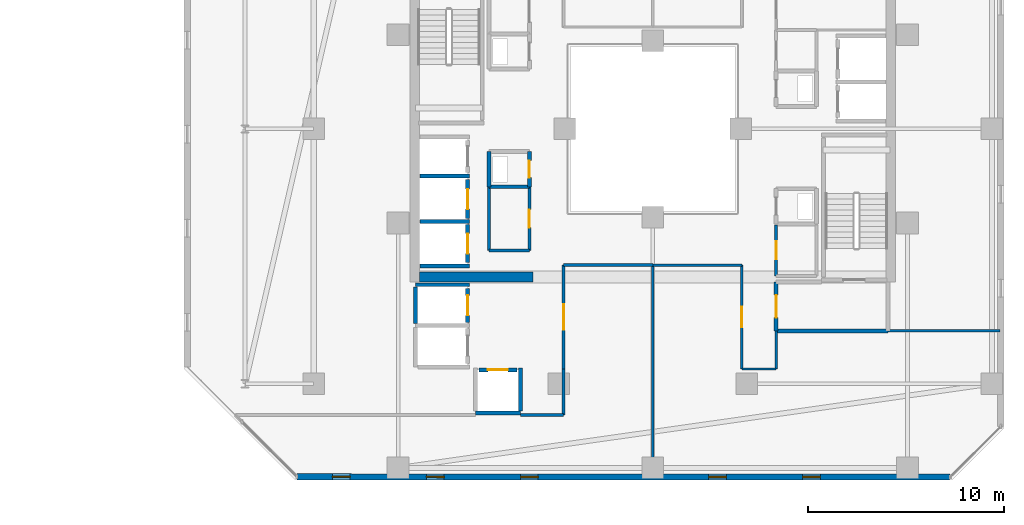
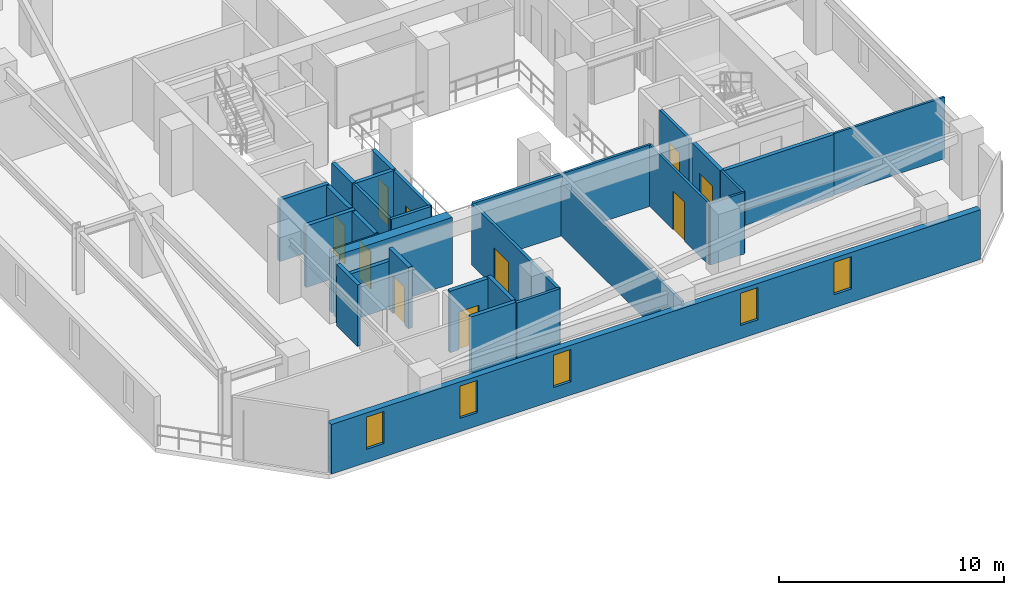
# One storey, part 23 of 32: 32 walls, 10 doors, 5 windows, 15 openings.
"""IFC4 building model written with IfcOpenShell, lengths in metres."""

from ifc_helpers import new_model, si_unit, direction, frame, frame_2d, origin, place, context, subcontext, project, spatial, rectangle, extrude, material, layer, layer_set, type_object, element, fill, save


model = new_model("IFC4")

# Units and contexts
model_context = context("Model", 3, precision=1e-05, world=origin(), true_north=direction((0.0, 1.0)))
body_context = subcontext(model_context, "Body", "Model", "MODEL_VIEW")
ifc_project = project(units=[si_unit("LENGTHUNIT", "METRE"), si_unit("AREAUNIT", "SQUARE_METRE"), si_unit("VOLUMEUNIT", "CUBIC_METRE"), si_unit("PLANEANGLEUNIT", "RADIAN"), si_unit("MASSUNIT", "GRAM", prefix="KILO")], contexts=[model_context])

# Site, building, storey
site_placement = place(None, origin())
site = spatial("IfcSite", under=ifc_project, at=site_placement, CompositionType="ELEMENT")
building_placement = place(site_placement, origin())
building = spatial("IfcBuilding", under=site, at=building_placement, Name="Thornwick Lancets Civic Towers", CompositionType="ELEMENT")
storey_placement = place(building_placement, frame((0.0, 0.0, 182.10009765625)))
storey = spatial("IfcBuildingStorey", under=building, at=storey_placement, Name="L48", CompositionType="ELEMENT", Elevation=182.10009765625)

# Wall, opening, door
ifc_material_1 = material(Name="Concrete blockwork C40/50", Category="masonry")
ifc_layer_1 = layer(ifc_material_1, 0.199951171875, Name="Concrete blockwork C40/50")
ifc_layer_set_1 = layer_set([ifc_layer_1], Name="Concrete blockwork C40/50")
wall_type_1 = type_object("IfcWallType", Name="WALL_COMP_200", PredefinedType="STANDARD", material=ifc_layer_set_1)
wall_1_placement = place(storey_placement, frame((79.050048828125, 22.429931640625, 0.0), z_axis=(0.0, 0.0, 1.0), x_axis=(0.0, 1.0, 0.0)))
wall_1 = element("IfcWall", 1, at=wall_1_placement, inside=storey, type_object=wall_type_1, Name="L48 Hoistway Front Wall PL-BH2", PredefinedType="STANDARD", context=body_context, shape_type="SweptSolid", body=[
    extrude(rectangle(XDim=1.989990234375, YDim=0.199951171875, at=frame_2d((0.9951171875, 0.0))), origin(), (0.0, 0.0, 1.0), 3.33984375),
])
opening_1_placement = place(wall_1_placement, frame((0.485107421875, 0.0, 0.0)))
opening_1 = element("IfcOpeningElement", 2, at=opening_1_placement, cuts=wall_1, Name="Opening LD-PL-BH2", PredefinedType="OPENING", context=body_context, shape_type="SweptSolid", body=[
    extrude(rectangle(XDim=1.02001953125, YDim=2.06005859375, at=frame_2d((0.510009765625, 1.030029296875))), frame((0.0, 0.10986328125, 0.0), z_axis=(0.0, -1.0, 0.0), x_axis=(1.0, 0.0, 0.0)), (0.0, 0.0, 1.0), 0.219970703125),
])
ifc_material_2 = material(Name="Brushed bronze stainless steel", Category="steel")
door_type_1 = type_object("IfcDoorType", Name="DOOR_LIFT_SLIDE", OperationType="SLIDING_TO_LEFT", PredefinedType="DOOR", material=ifc_material_2)
door_1_placement = place(opening_1_placement, origin())
door_1 = element("IfcDoor", 3, at=door_1_placement, inside=storey, type_object=door_type_1, Name="L48 Sliding Lift Landing Door LD-PL-BH2", OperationType="SLIDING_TO_LEFT", OverallHeight=2.06005859375, OverallWidth=1.02001953125, PredefinedType="DOOR", context=body_context, shape_type="SweptSolid", body=[
    extrude(rectangle(XDim=1.02001953125, YDim=2.06005859375, at=frame_2d((0.510009765625, 1.030029296875))), frame((0.0, 0.02490234375, 0.0), z_axis=(0.0, -1.0, 0.0), x_axis=(1.0, 0.0, 0.0)), (0.0, 0.0, 1.0), 0.050048828125),
])
fill(opening_1, door_1)

wall_2_placement = place(storey_placement, frame((79.050048828125, 20.179931640625, 0.0), z_axis=(0.0, 0.0, 1.0), x_axis=(0.0, 1.0, 0.0)))
wall_2 = element("IfcWall", 4, at=wall_2_placement, inside=storey, type_object=wall_type_1, Name="L48 Hoistway Front Wall PL-BH3", PredefinedType="STANDARD", context=body_context, shape_type="SweptSolid", body=[
    extrude(rectangle(XDim=1.940185546875, YDim=0.199951171875, at=frame_2d((0.97021484375, 0.0))), origin(), (0.0, 0.0, 1.0), 3.33984375),
])
opening_2_placement = place(wall_2_placement, frame((0.4599609375, 0.0, 0.0)))
opening_2 = element("IfcOpeningElement", 5, at=opening_2_placement, cuts=wall_2, Name="Opening LD-PL-BH3", PredefinedType="OPENING", context=body_context, shape_type="SweptSolid", body=[
    extrude(rectangle(XDim=1.02001953125, YDim=2.06005859375, at=frame_2d((0.510009765625, 1.030029296875))), frame((0.0, 0.10986328125, 0.0), z_axis=(0.0, -1.0, 0.0), x_axis=(1.0, 0.0, 0.0)), (0.0, 0.0, 1.0), 0.219970703125),
])
door_2_placement = place(opening_2_placement, origin())
door_2 = element("IfcDoor", 6, at=door_2_placement, inside=storey, type_object=door_type_1, Name="L48 Sliding Lift Landing Door LD-PL-BH3", OperationType="SLIDING_TO_LEFT", OverallHeight=2.06005859375, OverallWidth=1.02001953125, PredefinedType="DOOR", context=body_context, shape_type="SweptSolid", body=[
    extrude(rectangle(XDim=1.02001953125, YDim=2.06005859375, at=frame_2d((0.510009765625, 1.030029296875))), frame((0.0, 0.02490234375, 0.0), z_axis=(0.0, -1.0, 0.0), x_axis=(1.0, 0.0, 0.0)), (0.0, 0.0, 1.0), 0.050048828125),
])
fill(opening_2, door_2)

wall_3_placement = place(storey_placement, frame((79.050048828125, 17.1298828125, 0.0), z_axis=(0.0, 0.0, 1.0), x_axis=(0.0, 1.0, 0.0)))
wall_3 = element("IfcWall", 7, at=wall_3_placement, inside=storey, type_object=wall_type_1, Name="L48 Hoistway Front Wall PL-BM1", PredefinedType="STANDARD", context=body_context, shape_type="SweptSolid", body=[
    extrude(rectangle(XDim=1.740234375, YDim=0.199951171875, at=frame_2d((0.8701171875, 0.0))), origin(), (0.0, 0.0, 1.0), 3.33984375),
])
opening_3_placement = place(wall_3_placement, frame((0.360107421875, 0.0, 0.0)))
opening_3 = element("IfcOpeningElement", 8, at=opening_3_placement, cuts=wall_3, Name="Opening LD-PL-BM1", PredefinedType="OPENING", context=body_context, shape_type="SweptSolid", body=[
    extrude(rectangle(XDim=1.02001953125, YDim=2.06005859375, at=frame_2d((0.510009765625, 1.030029296875))), frame((0.0, 0.10986328125, 0.0), z_axis=(0.0, -1.0, 0.0), x_axis=(1.0, 0.0, 0.0)), (0.0, 0.0, 1.0), 0.219970703125),
])
door_3_placement = place(opening_3_placement, origin())
door_3 = element("IfcDoor", 9, at=door_3_placement, inside=storey, type_object=door_type_1, Name="L48 Sliding Lift Landing Door LD-PL-BM1", OperationType="SLIDING_TO_LEFT", OverallHeight=2.06005859375, OverallWidth=1.02001953125, PredefinedType="DOOR", context=body_context, shape_type="SweptSolid", body=[
    extrude(rectangle(XDim=1.02001953125, YDim=2.06005859375, at=frame_2d((0.510009765625, 1.030029296875))), frame((0.0, 0.02490234375, 0.0), z_axis=(0.0, -1.0, 0.0), x_axis=(1.0, 0.0, 0.0)), (0.0, 0.0, 1.0), 0.050048828125),
])
fill(opening_3, door_3)

wall_4_placement = place(storey_placement, frame((79.6298828125, 14.699951171875, 0.0), z_axis=(0.0, 0.0, 1.0), x_axis=(1.0, 0.0, 0.0)))
wall_4 = element("IfcWall", 10, at=wall_4_placement, inside=storey, type_object=wall_type_1, Name="L48 Hoistway Front Wall PL-BM3", PredefinedType="STANDARD", context=body_context, shape_type="SweptSolid", body=[
    extrude(rectangle(XDim=1.940185546875, YDim=0.199951171875, at=frame_2d((0.97021484375, 0.0))), origin(), (0.0, 0.0, 1.0), 3.33984375),
])
opening_4_placement = place(wall_4_placement, frame((0.4599609375, 0.0, 0.0)))
opening_4 = element("IfcOpeningElement", 11, at=opening_4_placement, cuts=wall_4, Name="Opening LD-PL-BM3", PredefinedType="OPENING", context=body_context, shape_type="SweptSolid", body=[
    extrude(rectangle(XDim=1.02001953125, YDim=2.06005859375, at=frame_2d((0.510009765625, 1.030029296875))), frame((0.0, 0.10986328125, 0.0), z_axis=(0.0, -1.0, 0.0), x_axis=(1.0, 0.0, 0.0)), (0.0, 0.0, 1.0), 0.219970703125),
])
door_4_placement = place(opening_4_placement, origin())
door_4 = element("IfcDoor", 12, at=door_4_placement, inside=storey, type_object=door_type_1, Name="L48 Sliding Lift Landing Door LD-PL-BM3", OperationType="SLIDING_TO_LEFT", OverallHeight=2.06005859375, OverallWidth=1.02001953125, PredefinedType="DOOR", context=body_context, shape_type="SweptSolid", body=[
    extrude(rectangle(XDim=1.02001953125, YDim=2.06005859375, at=frame_2d((0.510009765625, 1.030029296875))), frame((0.0, 0.02490234375, 0.0), z_axis=(0.0, -1.0, 0.0), x_axis=(1.0, 0.0, 0.0)), (0.0, 0.0, 1.0), 0.050048828125),
])
fill(opening_4, door_4)

# Walls
for number, where, z_axis, x_axis, name in (
    (13, (76.612060546875, 24.60009765625, 0.0), (0.0, 0.0, 1.0), (1.0, 0.0, 0.0), "L48 Hoistway Shaft Wall FL-B2 S"),
    (14, (76.612060546875, 22.27490234375, 0.0), (0.0, 0.0, 1.0), (1.0, 0.0, 0.0), "L48 Hoistway Shaft Wall PL-BH2 S"),
    (15, (76.612060546875, 20.0, 0.0), (0.0, 0.0, 1.0), (1.0, 0.0, 0.0), "L48 Hoistway Shaft Wall PL-BH3 S"),
):
    element("IfcWall", number, at=place(storey_placement, frame(where, z_axis=z_axis, x_axis=x_axis)), inside=storey, type_object=wall_type_1, Name=name, PredefinedType="STANDARD", context=body_context, shape_type="SweptSolid", body=[
        extrude(rectangle(XDim=2.535888671875, YDim=0.199951171875, at=frame_2d((1.26806640625, 0.0))), origin(), (0.0, 0.0, 1.0), 3.33984375),
    ])
wall_5_placement = place(storey_placement, frame((76.402099609375, 19.050048828125, 0.0), z_axis=(0.0, 0.0, 1.0), x_axis=(1.0, 0.0, 0.0)))
element("IfcWall", 16, at=wall_5_placement, inside=storey, type_object=wall_type_1, Name="L48 Hoistway Shaft Wall PL-BM1 N", PredefinedType="STANDARD", context=body_context, shape_type="SweptSolid", body=[
    extrude(rectangle(XDim=2.745849609375, YDim=0.199951171875, at=frame_2d((1.373046875, 0.0))), origin(), (0.0, 0.0, 1.0), 2.544921875),
])
wall_6_placement = place(storey_placement, frame((76.39990234375, 17.08203125, 0.0), z_axis=(0.0, 0.0, 1.0), x_axis=(0.0, 1.0, 0.0)))
element("IfcWall", 17, at=wall_6_placement, inside=storey, type_object=wall_type_1, Name="L48 Hoistway Shaft Wall PL-BM1 W", PredefinedType="STANDARD", context=body_context, shape_type="SweptSolid", body=[
    extrude(rectangle(XDim=1.85595703125, YDim=0.199951171875, at=frame_2d((0.927978515625, 0.0))), origin(), (0.0, 0.0, 1.0), 3.33984375),
])
wall_7_placement = place(storey_placement, frame((79.451904296875, 12.5, 0.0), z_axis=(0.0, 0.0, 1.0), x_axis=(1.0, 0.0, 0.0)))
element("IfcWall", 18, at=wall_7_placement, inside=storey, type_object=wall_type_1, Name="L48 Hoistway Shaft Wall PL-BM3 S", PredefinedType="STANDARD", context=body_context, shape_type="SweptSolid", body=[
    extrude(rectangle(XDim=2.296142578125, YDim=0.199951171875, at=frame_2d((1.14794921875, 0.0))), origin(), (0.0, 0.0, 1.0), 3.33984375),
])
wall_8_placement = place(storey_placement, frame((81.75, 12.612060546875, 0.0), z_axis=(0.0, 0.0, 1.0), x_axis=(0.0, 1.0, 0.0)))
element("IfcWall", 19, at=wall_8_placement, inside=storey, type_object=wall_type_1, Name="L48 Hoistway Shaft Wall PL-BM3 E", PredefinedType="STANDARD", context=body_context, shape_type="SweptSolid", body=[
    extrude(rectangle(XDim=2.18603515625, YDim=0.199951171875, at=frame_2d((1.093017578125, 0.0))), origin(), (0.0, 0.0, 1.0), 3.33984375),
])
wall_9_placement = place(storey_placement, frame((94.800048828125, 16.699951171875, 0.0), z_axis=(0.0, 0.0, 1.0), x_axis=(1.0, 0.0, 0.0)))
element("IfcWall", 20, at=wall_9_placement, inside=storey, type_object=wall_type_1, Name="L48 Partition L48-B-FFLOB1 E1", PredefinedType="STANDARD", context=body_context, shape_type="SweptSolid", body=[
    extrude(rectangle(XDim=5.699951171875, YDim=0.199951171875, at=frame_2d((2.85009765625, 0.0))), origin(), (0.0, 0.0, 1.0), 3.33984375),
])

# Wall, opening, door
wall_10_placement = place(storey_placement, frame((94.800048828125, 19.199951171875, 0.0), z_axis=(0.0, 0.0, 1.0), x_axis=(0.0, -1.0, 0.0)))
wall_10 = element("IfcWall", 21, at=wall_10_placement, inside=storey, type_object=wall_type_1, Name="L48 Partition L48-B-FFLOB1 E4", PredefinedType="STANDARD", context=body_context, shape_type="SweptSolid", body=[
    extrude(rectangle(XDim=2.5, YDim=0.199951171875, at=frame_2d((1.25, 0.0))), origin(), (0.0, 0.0, 1.0), 3.33984375),
])
opening_5_placement = place(wall_10_placement, frame((0.675048828125, 0.0, 0.0)))
opening_5 = element("IfcOpeningElement", 22, at=opening_5_placement, cuts=wall_10, Name="Opening D-L48-2136", PredefinedType="OPENING", context=body_context, shape_type="SweptSolid", body=[
    extrude(rectangle(XDim=1.14990234375, YDim=2.10009765625, at=frame_2d((0.574951171875, 1.050048828125))), frame((0.0, 0.10986328125, 0.0), z_axis=(0.0, -1.0, 0.0), x_axis=(1.0, 0.0, 0.0)), (0.0, 0.0, 1.0), 0.219970703125),
])
ifc_material_3 = material(Name="Glazed fire-resisting steel", Category="steel")
door_type_2 = type_object("IfcDoorType", Name="DOOR_LOBBY_FD60", OperationType="NOTDEFINED", PredefinedType="DOOR", material=ifc_material_3)
door_5_placement = place(opening_5_placement, origin())
door_5 = element("IfcDoor", 23, at=door_5_placement, inside=storey, type_object=door_type_2, Name="L48 East Firefighting Lobby 1 Door", OperationType="SINGLE_SWING_LEFT", OverallHeight=2.10009765625, OverallWidth=1.14990234375, PredefinedType="DOOR", context=body_context, shape_type="SweptSolid", body=[
    extrude(rectangle(XDim=1.14990234375, YDim=2.10009765625, at=frame_2d((0.574951171875, 1.050048828125))), frame((0.0, 0.02490234375, 0.0), z_axis=(0.0, -1.0, 0.0), x_axis=(1.0, 0.0, 0.0)), (0.0, 0.0, 1.0), 0.050048828125),
])
fill(opening_5, door_5)

# Wall
wall_11_placement = place(storey_placement, frame((80.14990234375, 24.050048828125, 0.0), z_axis=(0.0, 0.0, 1.0), x_axis=(1.0, 0.0, 0.0)))
element("IfcWall", 24, at=wall_11_placement, inside=storey, type_object=wall_type_1, Name="L48 Partition L48-B-DUCT2 E1", PredefinedType="STANDARD", context=body_context, shape_type="SweptSolid", body=[
    extrude(rectangle(XDim=2.050048828125, YDim=0.199951171875, at=frame_2d((1.02490234375, 0.0))), origin(), (0.0, 0.0, 1.0), 3.33984375),
])

# Wall, opening, door
wall_12_placement = place(storey_placement, frame((82.199951171875, 24.050048828125, 0.0), z_axis=(0.0, 0.0, 1.0), x_axis=(0.0, 1.0, 0.0)))
wall_12 = element("IfcWall", 25, at=wall_12_placement, inside=storey, type_object=wall_type_1, Name="L48 Partition L48-B-DUCT2 E2", PredefinedType="STANDARD", context=body_context, shape_type="SweptSolid", body=[
    extrude(rectangle(XDim=1.800048828125, YDim=0.199951171875, at=frame_2d((0.89990234375, 0.0))), origin(), (0.0, 0.0, 1.0), 3.33984375),
])
opening_6_placement = place(wall_12_placement, frame((0.4599609375, 0.0, 0.0)))
opening_6 = element("IfcOpeningElement", 26, at=opening_6_placement, cuts=wall_12, Name="Opening D-L48-2140", PredefinedType="OPENING", context=body_context, shape_type="SweptSolid", body=[
    extrude(rectangle(XDim=0.8798828125, YDim=2.0400390625, at=frame_2d((0.43994140625, 1.02001953125))), frame((0.0, 0.10986328125, 0.0), z_axis=(0.0, -1.0, 0.0), x_axis=(1.0, 0.0, 0.0)), (0.0, 0.0, 1.0), 0.219970703125),
])
ifc_material_4 = material(Name="Steel riser access doorset", Category="steel")
door_type_3 = type_object("IfcDoorType", Name="DOOR_RISER_850", OperationType="NOTDEFINED", PredefinedType="DOOR", material=ifc_material_4)
door_6_placement = place(opening_6_placement, origin())
door_6 = element("IfcDoor", 27, at=door_6_placement, inside=storey, type_object=door_type_3, Name="L48 West Service Duct 2 Door", OperationType="SINGLE_SWING_LEFT", OverallHeight=2.0400390625, OverallWidth=0.8798828125, PredefinedType="DOOR", context=body_context, shape_type="SweptSolid", body=[
    extrude(rectangle(XDim=0.8798828125, YDim=2.0400390625, at=frame_2d((0.43994140625, 1.02001953125))), frame((0.0, 0.02490234375, 0.0), z_axis=(0.0, -1.0, 0.0), x_axis=(1.0, 0.0, 0.0)), (0.0, 0.0, 1.0), 0.050048828125),
])
fill(opening_6, door_6)

# Walls
wall_13_placement = place(storey_placement, frame((80.14990234375, 25.85009765625, 0.0), z_axis=(0.0, 0.0, 1.0), x_axis=(0.0, -1.0, 0.0)))
element("IfcWall", 28, at=wall_13_placement, inside=storey, type_object=wall_type_1, Name="L48 Partition L48-B-DUCT2 E4", PredefinedType="STANDARD", context=body_context, shape_type="SweptSolid", body=[
    extrude(rectangle(XDim=1.800048828125, YDim=0.199951171875, at=frame_2d((0.89990234375, 0.0))), origin(), (0.0, 0.0, 1.0), 3.33984375),
])
ifc_material_5 = material(Name="Concrete C50/60", Category="concrete")
ifc_layer_2 = layer(ifc_material_5, 0.5, Name="Concrete C50/60")
ifc_layer_set_2 = layer_set([ifc_layer_2], Name="Concrete C50/60")
wall_type_2 = type_object("IfcWallType", Name="WALL_CORE_500", PredefinedType="SHEAR", material=ifc_layer_set_2)
wall_14_placement = place(storey_placement, frame((76.60009765625, 19.449951171875, 0.0), z_axis=(0.0, 0.0, 1.0), x_axis=(1.0, 0.0, 0.0)))
element("IfcWall", 29, at=wall_14_placement, inside=storey, type_object=wall_type_2, Name="L48 Split Core B2 Shear Wall S", PredefinedType="SHEAR", context=body_context, shape_type="SweptSolid", body=[
    extrude(rectangle(XDim=5.7998046875, YDim=0.5, at=frame_2d((2.89990234375, 0.0))), origin(), (0.0, 0.0, 1.0), 3.599853515625),
])

# Wall, openings, windows
ifc_material_6 = material(Name="Insulated buff terracotta rainscreen on concrete C40/50", Category="masonry")
ifc_layer_3 = layer(ifc_material_6, 0.320068359375, Name="Insulated buff terracotta rainscreen on concrete C40/50")
ifc_layer_set_3 = layer_set([ifc_layer_3], Name="Insulated buff terracotta rainscreen on concrete C40/50")
wall_type_3 = type_object("IfcWallType", Name="WALL_EXT_TERRA_320", PredefinedType="STANDARD", material=ifc_layer_set_3)
wall_15_placement = place(storey_placement, frame((70.35205078125, 9.245361328125, 0.0), z_axis=(0.0, 0.0, 1.0), x_axis=(0.999999954901, -0.000300328883, 0.0)))
wall_15 = element("IfcWall", 30, at=wall_15_placement, inside=storey, type_object=wall_type_3, Name="L48 Tower B Terracotta Facade Wall E0", PredefinedType="STANDARD", context=body_context, shape_type="SweptSolid", body=[
    extrude(rectangle(XDim=33.329345703125, YDim=0.320068359375, at=frame_2d((16.66455078125, 0.0))), origin(), (0.0, 0.0, 1.0), 2.699951171875),
])
opening_7_placement = place(wall_15_placement, frame((1.800048828125, 0.0, 0.719970703125)))
opening_7 = element("IfcOpeningElement", 31, at=opening_7_placement, cuts=wall_15, Name="Opening WL-01", PredefinedType="OPENING", context=body_context, shape_type="SweptSolid", body=[
    extrude(rectangle(XDim=0.89990234375, YDim=1.75, at=frame_2d((0.449951171875, 0.875))), frame((0.0, 0.169921875, 0.0), z_axis=(0.0, -1.0, 0.0), x_axis=(1.0, 0.0, 0.0)), (0.0, 0.0, 1.0), 0.340087890625),
])
opening_8_placement = place(wall_15_placement, frame((6.60009765625, 0.0, 0.719970703125)))
opening_8 = element("IfcOpeningElement", 32, at=opening_8_placement, cuts=wall_15, Name="Opening WL-01", PredefinedType="OPENING", context=body_context, shape_type="SweptSolid", body=[
    extrude(rectangle(XDim=0.89990234375, YDim=1.75, at=frame_2d((0.449951171875, 0.875))), frame((0.0, 0.169921875, 0.0), z_axis=(0.0, -1.0, 0.0), x_axis=(1.0, 0.0, 0.0)), (0.0, 0.0, 1.0), 0.340087890625),
])
opening_9_placement = place(wall_15_placement, frame((11.39990234375, 0.0, 0.719970703125)))
opening_9 = element("IfcOpeningElement", 33, at=opening_9_placement, cuts=wall_15, Name="Opening WL-01", PredefinedType="OPENING", context=body_context, shape_type="SweptSolid", body=[
    extrude(rectangle(XDim=0.89990234375, YDim=1.75, at=frame_2d((0.449951171875, 0.875))), frame((0.0, 0.169921875, 0.0), z_axis=(0.0, -1.0, 0.0), x_axis=(1.0, 0.0, 0.0)), (0.0, 0.0, 1.0), 0.340087890625),
])
opening_10_placement = place(wall_15_placement, frame((21.0, 0.0, 0.719970703125)))
opening_10 = element("IfcOpeningElement", 34, at=opening_10_placement, cuts=wall_15, Name="Opening WL-01", PredefinedType="OPENING", context=body_context, shape_type="SweptSolid", body=[
    extrude(rectangle(XDim=0.89990234375, YDim=1.75, at=frame_2d((0.449951171875, 0.875))), frame((0.0, 0.169921875, 0.0), z_axis=(0.0, -1.0, 0.0), x_axis=(1.0, 0.0, 0.0)), (0.0, 0.0, 1.0), 0.340087890625),
])
opening_11_placement = place(wall_15_placement, frame((25.800048828125, 0.0, 0.719970703125)))
opening_11 = element("IfcOpeningElement", 35, at=opening_11_placement, cuts=wall_15, Name="Opening WL-01", PredefinedType="OPENING", context=body_context, shape_type="SweptSolid", body=[
    extrude(rectangle(XDim=0.89990234375, YDim=1.75, at=frame_2d((0.449951171875, 0.875))), frame((0.0, 0.169921875, 0.0), z_axis=(0.0, -1.0, 0.0), x_axis=(1.0, 0.0, 0.0)), (0.0, 0.0, 1.0), 0.340087890625),
])
ifc_material_7 = material(Name="Clear low-e double glazing in bronze frame", Category="glass")
window_type = type_object("IfcWindowType", Name="WIN_LANCET_900", PartitioningType="SINGLE_PANEL", PredefinedType="WINDOW", material=ifc_material_7)
window_1_placement = place(opening_7_placement, origin())
window_1 = element("IfcWindow", 36, at=window_1_placement, inside=storey, type_object=window_type, Name="L48 Tower B Staggered Lancet Window E0-1", OverallHeight=1.75, OverallWidth=0.89990234375, PartitioningType="SINGLE_PANEL", PredefinedType="WINDOW", context=body_context, shape_type="SweptSolid", body=[
    extrude(rectangle(XDim=0.89990234375, YDim=1.75, at=frame_2d((0.449951171875, 0.875))), frame((0.0, 0.030029296875, 0.0), z_axis=(0.0, -1.0, 0.0), x_axis=(1.0, 0.0, 0.0)), (0.0, 0.0, 1.0), 0.06005859375),
])
fill(opening_7, window_1)
window_2_placement = place(opening_8_placement, origin())
window_2 = element("IfcWindow", 37, at=window_2_placement, inside=storey, type_object=window_type, Name="L48 Tower B Staggered Lancet Window E0-2", OverallHeight=1.75, OverallWidth=0.89990234375, PartitioningType="SINGLE_PANEL", PredefinedType="WINDOW", context=body_context, shape_type="SweptSolid", body=[
    extrude(rectangle(XDim=0.89990234375, YDim=1.75, at=frame_2d((0.449951171875, 0.875))), frame((0.0, 0.030029296875, 0.0), z_axis=(0.0, -1.0, 0.0), x_axis=(1.0, 0.0, 0.0)), (0.0, 0.0, 1.0), 0.06005859375),
])
fill(opening_8, window_2)
window_3_placement = place(opening_9_placement, origin())
window_3 = element("IfcWindow", 38, at=window_3_placement, inside=storey, type_object=window_type, Name="L48 Tower B Staggered Lancet Window E0-3", OverallHeight=1.75, OverallWidth=0.89990234375, PartitioningType="SINGLE_PANEL", PredefinedType="WINDOW", context=body_context, shape_type="SweptSolid", body=[
    extrude(rectangle(XDim=0.89990234375, YDim=1.75, at=frame_2d((0.449951171875, 0.875))), frame((0.0, 0.030029296875, 0.0), z_axis=(0.0, -1.0, 0.0), x_axis=(1.0, 0.0, 0.0)), (0.0, 0.0, 1.0), 0.06005859375),
])
fill(opening_9, window_3)
window_4_placement = place(opening_10_placement, origin())
window_4 = element("IfcWindow", 39, at=window_4_placement, inside=storey, type_object=window_type, Name="L48 Tower B Staggered Lancet Window E0-4", OverallHeight=1.75, OverallWidth=0.89990234375, PartitioningType="SINGLE_PANEL", PredefinedType="WINDOW", context=body_context, shape_type="SweptSolid", body=[
    extrude(rectangle(XDim=0.89990234375, YDim=1.75, at=frame_2d((0.449951171875, 0.875))), frame((0.0, 0.030029296875, 0.0), z_axis=(0.0, -1.0, 0.0), x_axis=(1.0, 0.0, 0.0)), (0.0, 0.0, 1.0), 0.06005859375),
])
fill(opening_10, window_4)
window_5_placement = place(opening_11_placement, origin())
window_5 = element("IfcWindow", 40, at=window_5_placement, inside=storey, type_object=window_type, Name="L48 Tower B Staggered Lancet Window E0-5", OverallHeight=1.75, OverallWidth=0.89990234375, PartitioningType="SINGLE_PANEL", PredefinedType="WINDOW", context=body_context, shape_type="SweptSolid", body=[
    extrude(rectangle(XDim=0.89990234375, YDim=1.75, at=frame_2d((0.449951171875, 0.875))), frame((0.0, 0.030029296875, 0.0), z_axis=(0.0, -1.0, 0.0), x_axis=(1.0, 0.0, 0.0)), (0.0, 0.0, 1.0), 0.06005859375),
])
fill(opening_11, window_5)

# Walls
ifc_material_8 = material(Name="Acoustic gypsum board partition")
ifc_layer_4 = layer(ifc_material_8, 0.1201171875, Name="Acoustic gypsum board partition")
ifc_layer_set_4 = layer_set([ifc_layer_4], Name="Acoustic gypsum board partition")
wall_type_4 = type_object("IfcWallType", Name="WALL_PART_120", PredefinedType="PARTITIONING", material=ifc_layer_set_4)
wall_16_placement = place(storey_placement, frame((88.5, 9.280029296875, 0.0), z_axis=(0.0, 0.0, 1.0), x_axis=(0.0, 1.0, 0.0)))
element("IfcWall", 41, at=wall_16_placement, inside=storey, type_object=wall_type_4, Name="L48 Partition L48-B-W1 E2", PredefinedType="PARTITIONING", context=body_context, shape_type="SweptSolid", body=[
    extrude(rectangle(XDim=10.77001953125, YDim=0.1201171875, at=frame_2d((5.385009765625, 0.0))), origin(), (0.0, 0.0, 1.0), 2.93212890625),
])
wall_17_placement = place(storey_placement, frame((88.5, 20.050048828125, 0.0), z_axis=(0.0, 0.0, 1.0), x_axis=(1.0, 0.0, 0.0)))
element("IfcWall", 42, at=wall_17_placement, inside=storey, type_object=wall_type_4, Name="L48 Partition L48-B-W1 E3", PredefinedType="PARTITIONING", context=body_context, shape_type="SweptSolid", body=[
    extrude(rectangle(XDim=4.550048828125, YDim=0.1201171875, at=frame_2d((2.27490234375, 0.0))), origin(), (0.0, 0.0, 1.0), 3.33984375),
])

# Wall, opening, door
wall_18_placement = place(storey_placement, frame((93.050048828125, 20.050048828125, 0.0), z_axis=(0.0, 0.0, 1.0), x_axis=(0.0, -1.0, 0.0)))
wall_18 = element("IfcWall", 43, at=wall_18_placement, inside=storey, type_object=wall_type_4, Name="L48 Partition L48-B-W1 E4", PredefinedType="PARTITIONING", context=body_context, shape_type="SweptSolid", body=[
    extrude(rectangle(XDim=5.300048828125, YDim=0.1201171875, at=frame_2d((2.64990234375, 0.0))), origin(), (0.0, 0.0, 1.0), 3.33984375),
])
opening_12_placement = place(wall_18_placement, frame((2.125, 0.0, 0.0)))
opening_12 = element("IfcOpeningElement", 44, at=opening_12_placement, cuts=wall_18, Name="Opening D-L48-2153", PredefinedType="OPENING", context=body_context, shape_type="SweptSolid", body=[
    extrude(rectangle(XDim=1.050048828125, YDim=2.10009765625, at=frame_2d((0.52490234375, 1.050048828125))), frame((0.0, 0.070068359375, 0.0), z_axis=(0.0, -1.0, 0.0), x_axis=(1.0, 0.0, 0.0)), (0.0, 0.0, 1.0), 0.14013671875),
])
ifc_material_9 = material(Name="Glazed European oak executive doorset")
door_type_4 = type_object("IfcDoorType", Name="DOOR_OFFICE_1050", OperationType="NOTDEFINED", PredefinedType="DOOR", material=ifc_material_9)
door_7_placement = place(opening_12_placement, origin())
door_7 = element("IfcDoor", 45, at=door_7_placement, inside=storey, type_object=door_type_4, Name="L48 Tower B Ministry Directorate Office W1 Door", OperationType="SINGLE_SWING_RIGHT", OverallHeight=2.10009765625, OverallWidth=1.050048828125, PredefinedType="DOOR", context=body_context, shape_type="SweptSolid", body=[
    extrude(rectangle(XDim=1.050048828125, YDim=2.10009765625, at=frame_2d((0.52490234375, 1.050048828125))), frame((0.0, 0.02490234375, 0.0), z_axis=(0.0, -1.0, 0.0), x_axis=(1.0, 0.0, 0.0)), (0.0, 0.0, 1.0), 0.050048828125),
])
fill(opening_12, door_7)

# Walls
wall_19_placement = place(storey_placement, frame((93.050048828125, 14.75, 0.0), z_axis=(0.0, 0.0, 1.0), x_axis=(1.0, 0.0, 0.0)))
element("IfcWall", 46, at=wall_19_placement, inside=storey, type_object=wall_type_4, Name="L48 Partition L48-B-W1 E5", PredefinedType="PARTITIONING", context=body_context, shape_type="SweptSolid", body=[
    extrude(rectangle(XDim=1.75, YDim=0.1201171875, at=frame_2d((0.875, 0.0))), origin(), (0.0, 0.0, 1.0), 3.33984375),
])
wall_20_placement = place(storey_placement, frame((94.800048828125, 14.75, 0.0), z_axis=(0.0, 0.0, 1.0), x_axis=(0.0, 1.0, 0.0)))
element("IfcWall", 47, at=wall_20_placement, inside=storey, type_object=wall_type_4, Name="L48 Partition L48-B-W1 E6", PredefinedType="PARTITIONING", context=body_context, shape_type="SweptSolid", body=[
    extrude(rectangle(XDim=1.949951171875, YDim=0.1201171875, at=frame_2d((0.97509765625, 0.0))), origin(), (0.0, 0.0, 1.0), 3.33984375),
])
wall_21_placement = place(storey_placement, frame((100.5, 16.699951171875, 0.0), z_axis=(0.0, 0.0, 1.0), x_axis=(1.0, 0.0, 0.0)))
element("IfcWall", 48, at=wall_21_placement, inside=storey, type_object=wall_type_4, Name="L48 Partition L48-B-W1 E8", PredefinedType="PARTITIONING", context=body_context, shape_type="SweptSolid", body=[
    extrude(rectangle(XDim=5.719970703125, YDim=0.1201171875, at=frame_2d((2.85986328125, 0.0))), origin(), (0.0, 0.0, 1.0), 3.33984375),
])

# Wall, opening, door
ifc_material_10 = material(Name="Twin-stud acoustic gypsum board")
ifc_layer_5 = layer(ifc_material_10, 0.14990234375, Name="Twin-stud acoustic gypsum board")
ifc_layer_set_5 = layer_set([ifc_layer_5], Name="Twin-stud acoustic gypsum board")
wall_type_5 = type_object("IfcWallType", Name="WALL_PART_150", PredefinedType="PARTITIONING", material=ifc_layer_set_5)
wall_22_placement = place(storey_placement, frame((94.800048828125, 22.10009765625, 0.0), z_axis=(0.0, 0.0, 1.0), x_axis=(0.0, -1.0, 0.0)))
wall_22 = element("IfcWall", 49, at=wall_22_placement, inside=storey, type_object=wall_type_5, Name="L48 Partition L48-B-AWC E4", PredefinedType="PARTITIONING", context=body_context, shape_type="SweptSolid", body=[
    extrude(rectangle(XDim=2.60009765625, YDim=0.14990234375, at=frame_2d((1.300048828125, 0.0))), origin(), (0.0, 0.0, 1.0), 3.33984375),
])
opening_13_placement = place(wall_22_placement, frame((0.840087890625, 0.0, 0.0)))
opening_13 = element("IfcOpeningElement", 50, at=opening_13_placement, cuts=wall_22, Name="Opening D-L48-2142", PredefinedType="OPENING", context=body_context, shape_type="SweptSolid", body=[
    extrude(rectangle(XDim=0.919921875, YDim=2.080078125, at=frame_2d((0.4599609375, 1.0400390625))), frame((0.0, 0.0849609375, 0.0), z_axis=(0.0, -1.0, 0.0), x_axis=(1.0, 0.0, 0.0)), (0.0, 0.0, 1.0), 0.169921875),
])
ifc_material_11 = material(Name="Moisture-resistant oak doorset")
door_type_5 = type_object("IfcDoorType", Name="DOOR_WC_900", OperationType="NOTDEFINED", PredefinedType="DOOR", material=ifc_material_11)
door_8_placement = place(opening_13_placement, origin())
door_8 = element("IfcDoor", 51, at=door_8_placement, inside=storey, type_object=door_type_5, Name="L48 Tower B Accessible WC Door", OperationType="SINGLE_SWING_LEFT", OverallHeight=2.080078125, OverallWidth=0.919921875, PredefinedType="DOOR", context=body_context, shape_type="SweptSolid", body=[
    extrude(rectangle(XDim=0.919921875, YDim=2.080078125, at=frame_2d((0.4599609375, 1.0400390625))), frame((0.0, 0.02490234375, 0.0), z_axis=(0.0, -1.0, 0.0), x_axis=(1.0, 0.0, 0.0)), (0.0, 0.0, 1.0), 0.050048828125),
])
fill(opening_13, door_8)

# Walls
wall_23_placement = place(storey_placement, frame((82.199951171875, 20.800048828125, 0.0), z_axis=(0.0, 0.0, 1.0), x_axis=(-1.0, 0.0, 0.0)))
element("IfcWall", 52, at=wall_23_placement, inside=storey, type_object=wall_type_5, Name="L48 Partition L48-B-FWC E1", PredefinedType="PARTITIONING", context=body_context, shape_type="SweptSolid", body=[
    extrude(rectangle(XDim=2.050048828125, YDim=0.14990234375, at=frame_2d((1.02490234375, 0.0))), origin(), (0.0, 0.0, 1.0), 3.33984375),
])
wall_24_placement = place(storey_placement, frame((80.14990234375, 20.800048828125, 0.0), z_axis=(0.0, 0.0, 1.0), x_axis=(0.0, 1.0, 0.0)))
element("IfcWall", 53, at=wall_24_placement, inside=storey, type_object=wall_type_5, Name="L48 Partition L48-B-FWC E2", PredefinedType="PARTITIONING", context=body_context, shape_type="SweptSolid", body=[
    extrude(rectangle(XDim=3.25, YDim=0.14990234375, at=frame_2d((1.625, 0.0))), origin(), (0.0, 0.0, 1.0), 3.33984375),
])

# Wall, opening, door
wall_25_placement = place(storey_placement, frame((82.199951171875, 24.050048828125, 0.0), z_axis=(0.0, 0.0, 1.0), x_axis=(0.0, -1.0, 0.0)))
wall_25 = element("IfcWall", 54, at=wall_25_placement, inside=storey, type_object=wall_type_5, Name="L48 Partition L48-B-FWC E4", PredefinedType="PARTITIONING", context=body_context, shape_type="SweptSolid", body=[
    extrude(rectangle(XDim=3.25, YDim=0.14990234375, at=frame_2d((1.625, 0.0))), origin(), (0.0, 0.0, 1.0), 3.33984375),
])
opening_14_placement = place(wall_25_placement, frame((1.1650390625, 0.0, 0.0)))
opening_14 = element("IfcOpeningElement", 55, at=opening_14_placement, cuts=wall_25, Name="Opening D-L48-2145", PredefinedType="OPENING", context=body_context, shape_type="SweptSolid", body=[
    extrude(rectangle(XDim=0.919921875, YDim=2.080078125, at=frame_2d((0.4599609375, 1.0400390625))), frame((0.0, 0.0849609375, 0.0), z_axis=(0.0, -1.0, 0.0), x_axis=(1.0, 0.0, 0.0)), (0.0, 0.0, 1.0), 0.169921875),
])
door_9_placement = place(opening_14_placement, origin())
door_9 = element("IfcDoor", 56, at=door_9_placement, inside=storey, type_object=door_type_5, Name="L48 Tower B Female WC Door", OperationType="SINGLE_SWING_RIGHT", OverallHeight=2.080078125, OverallWidth=0.919921875, PredefinedType="DOOR", context=body_context, shape_type="SweptSolid", body=[
    extrude(rectangle(XDim=0.919921875, YDim=2.080078125, at=frame_2d((0.4599609375, 1.0400390625))), frame((0.0, 0.02490234375, 0.0), z_axis=(0.0, -1.0, 0.0), x_axis=(1.0, 0.0, 0.0)), (0.0, 0.0, 1.0), 0.050048828125),
])
fill(opening_14, door_9)

wall_26_placement = place(storey_placement, frame((83.949951171875, 14.75, 0.0), z_axis=(0.0, 0.0, 1.0), x_axis=(0.0, 1.0, 0.0)))
wall_26 = element("IfcWall", 57, at=wall_26_placement, inside=storey, type_object=wall_type_5, Name="L48 Partition L48-B-W2 E1", PredefinedType="PARTITIONING", context=body_context, shape_type="SweptSolid", body=[
    extrude(rectangle(XDim=5.300048828125, YDim=0.14990234375, at=frame_2d((2.64990234375, 0.0))), origin(), (0.0, 0.0, 1.0), 3.33984375),
])
opening_15_placement = place(wall_26_placement, frame((2.0, 0.0, 0.0)))
opening_15 = element("IfcOpeningElement", 58, at=opening_15_placement, cuts=wall_26, Name="Opening D-L48-2154", PredefinedType="OPENING", context=body_context, shape_type="SweptSolid", body=[
    extrude(rectangle(XDim=1.300048828125, YDim=2.1201171875, at=frame_2d((0.64990234375, 1.06005859375))), frame((0.0, 0.0849609375, 0.0), z_axis=(0.0, -1.0, 0.0), x_axis=(1.0, 0.0, 0.0)), (0.0, 0.0, 1.0), 0.169921875),
])
ifc_material_12 = material(Name="Acoustic oak leaf-and-a-half doorset")
door_type_6 = type_object("IfcDoorType", Name="DOOR_MEET_1300", OperationType="DOUBLE_DOOR_SINGLE_SWING", PredefinedType="DOOR", material=ifc_material_12)
door_10_placement = place(opening_15_placement, origin())
door_10 = element("IfcDoor", 59, at=door_10_placement, inside=storey, type_object=door_type_6, Name="L48 Tower B Policy Briefing Room W2 Door", OperationType="DOUBLE_DOOR_SINGLE_SWING", OverallHeight=2.1201171875, OverallWidth=1.300048828125, PredefinedType="DOOR", context=body_context, shape_type="SweptSolid", body=[
    extrude(rectangle(XDim=1.300048828125, YDim=2.1201171875, at=frame_2d((0.64990234375, 1.06005859375))), frame((0.0, 0.02490234375, 0.0), z_axis=(0.0, -1.0, 0.0), x_axis=(1.0, 0.0, 0.0)), (0.0, 0.0, 1.0), 0.050048828125),
])
fill(opening_15, door_10)

# Walls
wall_27_placement = place(storey_placement, frame((83.949951171875, 20.050048828125, 0.0), z_axis=(0.0, 0.0, 1.0), x_axis=(1.0, 0.0, 0.0)))
element("IfcWall", 60, at=wall_27_placement, inside=storey, type_object=wall_type_5, Name="L48 Partition L48-B-W2 E2", PredefinedType="PARTITIONING", context=body_context, shape_type="SweptSolid", body=[
    extrude(rectangle(XDim=4.550048828125, YDim=0.14990234375, at=frame_2d((2.27490234375, 0.0))), origin(), (0.0, 0.0, 1.0), 3.33984375),
])
wall_28_placement = place(storey_placement, frame((81.748046875, 12.39990234375, 0.0), z_axis=(0.0, 0.0, 1.0), x_axis=(1.0, 0.0, 0.0)))
element("IfcWall", 61, at=wall_28_placement, inside=storey, type_object=wall_type_5, Name="L48 Partition L48-B-W2 E6", PredefinedType="PARTITIONING", context=body_context, shape_type="SweptSolid", body=[
    extrude(rectangle(XDim=2.201904296875, YDim=0.14990234375, at=frame_2d((1.10107421875, 0.0))), origin(), (0.0, 0.0, 1.0), 3.33984375),
])
wall_29_placement = place(storey_placement, frame((83.949951171875, 12.39990234375, 0.0), z_axis=(0.0, 0.0, 1.0), x_axis=(0.0, 1.0, 0.0)))
element("IfcWall", 62, at=wall_29_placement, inside=storey, type_object=wall_type_5, Name="L48 Partition L48-B-W2 E7", PredefinedType="PARTITIONING", context=body_context, shape_type="SweptSolid", body=[
    extrude(rectangle(XDim=2.35009765625, YDim=0.14990234375, at=frame_2d((1.175048828125, 0.0))), origin(), (0.0, 0.0, 1.0), 3.33984375),
])

save(model, "model.ifc")
